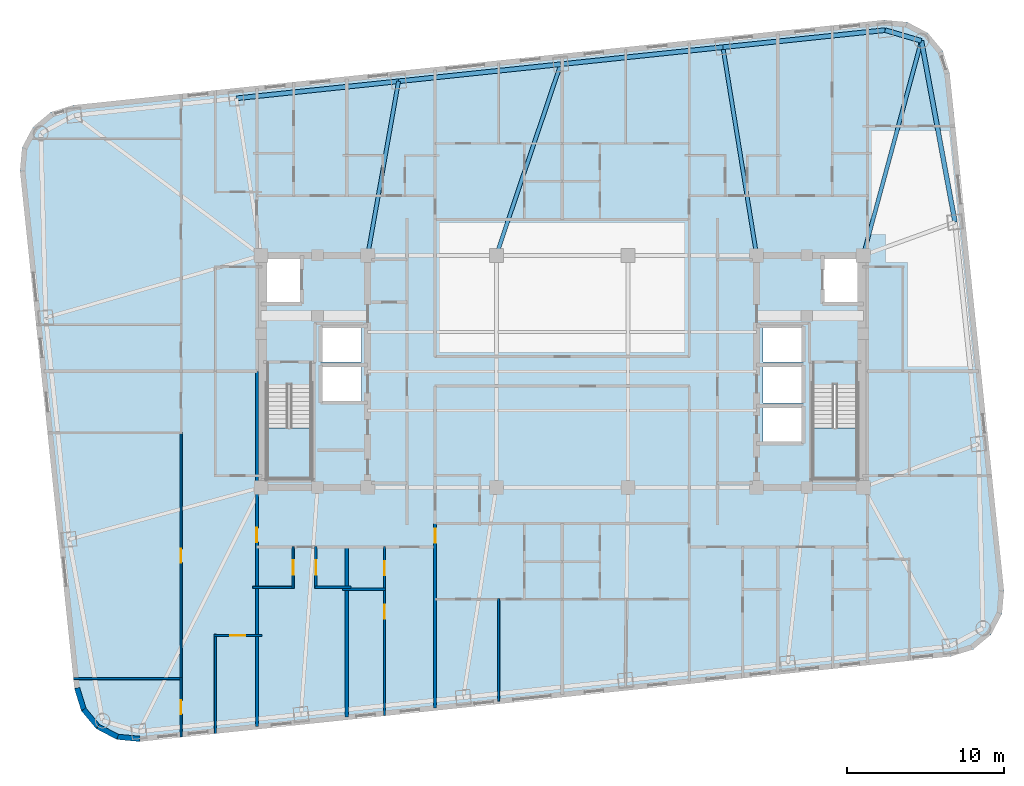
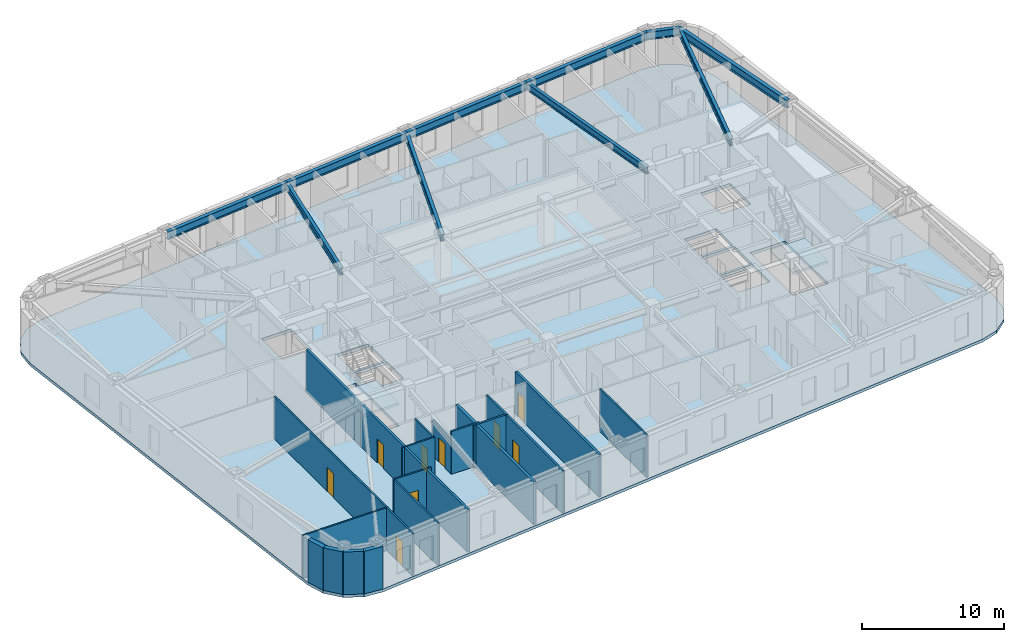
# One storey, part 2 of 11: 20 walls, 10 beams, 9 doors, 3 slabs, 9 openings, 2 elements without a shape of their own.
"""IFC4 building model written with IfcOpenShell, lengths in metres."""

from ifc_helpers import new_model, si_unit, direction, frame, frame_2d, origin, origin_2d, place, context, subcontext, project, spatial, polyline, rectangle, i_section, outline, extrude, material, layer, layer_set, material_profile, profile_set, type_object, element, fill, aggregate, save


model = new_model("IFC4")

# Units and contexts
model_context = context("Model", 3, precision=1e-05, world=origin(), true_north=direction((0.0, 1.0)))
body_context = subcontext(model_context, "Body", "Model", "MODEL_VIEW")
ifc_project = project(units=[si_unit("LENGTHUNIT", "METRE"), si_unit("AREAUNIT", "SQUARE_METRE"), si_unit("VOLUMEUNIT", "CUBIC_METRE"), si_unit("PLANEANGLEUNIT", "RADIAN"), si_unit("MASSUNIT", "GRAM", prefix="KILO")], contexts=[model_context])

# Site, building, storey
site_placement = place(None, origin())
site = spatial("IfcSite", under=ifc_project, at=site_placement, CompositionType="ELEMENT")
building_placement = place(site_placement, origin())
building = spatial("IfcBuilding", under=site, at=building_placement, Name="Voryun Gate Residences", CompositionType="ELEMENT")
storey_placement = place(building_placement, frame((0.0, 0.0, 183.300048828125)))
storey = spatial("IfcBuildingStorey", under=building, at=storey_placement, Name="L45", CompositionType="ELEMENT", Elevation=183.300048828125)

# Beams
ifc_material_1 = material(Name="Steel SM355", Category="steel")
ifc_material_profile_1 = material_profile(ifc_material_1, i_section(OverallWidth=0.300048828125, OverallDepth=0.679931640625, WebThickness=0.013916015625, FlangeThickness=0.02490234375, FilletRadius=0.01806640625, at=origin_2d()), Name="H-680x300x14x25")
ifc_profile_set_1 = profile_set([ifc_material_profile_1], Name="Steel SM355")
beam_type_1 = type_object("IfcBeamType", Name="BM_EXO_SPANDREL_M", PredefinedType="SPANDREL", material=ifc_profile_set_1)
beam_1_placement = place(storey_placement, frame((25.047119140625, 9.51806640625, 3.31005859375), z_axis=(-0.182267768769, 0.983248931079, 0.0), x_axis=(-0.983248931079, -0.182267768769, 0.0)))
element("IfcBeam", 1, at=beam_1_placement, inside=storey, type_object=beam_type_1, Name="BM-L45-SPAND-09", PredefinedType="SPANDREL", context=body_context, shape_type="SweptSolid", body=[
    extrude(i_section(OverallWidth=0.300048828125, OverallDepth=0.679931640625, WebThickness=0.013916015625, FlangeThickness=0.02490234375, FilletRadius=0.01806640625, at=origin_2d()), origin(), (0.0, 0.0, 1.0), 11.753662109375),
])
beam_2_placement = place(storey_placement, frame((22.90478515625, 21.074951171875, 3.31005859375), z_axis=(-0.958843048967, 0.283936625758, 0.0), x_axis=(-0.283936625758, -0.958843048967, 0.0)))
element("IfcBeam", 2, at=beam_2_placement, inside=storey, type_object=beam_type_1, Name="BM-L45-SPAND-10", PredefinedType="SPANDREL", context=body_context, shape_type="SweptSolid", body=[
    extrude(i_section(OverallWidth=0.300048828125, OverallDepth=0.679931640625, WebThickness=0.013916015625, FlangeThickness=0.02490234375, FilletRadius=0.01806640625, at=origin_2d()), origin(), (0.0, 0.0, 1.0), 2.410888671875),
])
for number, where, z_axis, x_axis, name in (
    (3, (20.593017578125, 21.759521484375, 3.31005859375), (-0.994521263116, -0.104534478571, 0.0), (0.104534478571, -0.994521263116, 0.0), "BM-L45-SPAND-11"),
    (4, (10.25, 20.67236328125, 3.31005859375), (-0.99452370336, -0.10451125994, 0.0), (0.10451125994, -0.99452370336, 0.0), "BM-L45-SPAND-12"),
    (5, (-0.093017578125, 19.58544921875, 3.31005859375), (-0.994521263116, -0.104534478571, 0.0), (0.104534478571, -0.994521263116, 0.0), "BM-L45-SPAND-13"),
    (6, (-10.43603515625, 18.498291015625, 3.31005859375), (-0.994521263116, -0.104534478571, 0.0), (0.104534478571, -0.994521263116, 0.0), "BM-L45-SPAND-14"),
):
    element("IfcBeam", number, at=place(storey_placement, frame(where, z_axis=z_axis, x_axis=x_axis)), inside=storey, type_object=beam_type_1, Name=name, PredefinedType="SPANDREL", context=body_context, shape_type="SweptSolid", body=[
        extrude(i_section(OverallWidth=0.300048828125, OverallDepth=0.679931640625, WebThickness=0.013916015625, FlangeThickness=0.02490234375, FilletRadius=0.01806640625, at=origin_2d()), origin(), (0.0, 0.0, 1.0), 10.39990234375),
    ])
ifc_material_2 = material(Name="Steel SM355", Category="steel")
ifc_material_profile_2 = material_profile(ifc_material_2, i_section(OverallWidth=0.25, OverallDepth=0.60009765625, WebThickness=0.011962890625, FlangeThickness=0.02197265625, FilletRadius=0.01806640625, at=origin_2d()), Name="H-600x250x12x22")
ifc_profile_set_2 = profile_set([ifc_material_profile_2], Name="Steel SM355")
beam_type_2 = type_object("IfcBeamType", Name="BM_GIRD_600", PredefinedType="USERDEFINED", material=ifc_profile_set_2)
beam_3_placement = place(storey_placement, frame((19.199951171875, 7.39990234375, 3.349853515625), z_axis=(0.261492735838, 0.965205443988, 0.0), x_axis=(-0.965205443988, 0.261492735838, 0.0)))
element("IfcBeam", 7, at=beam_3_placement, inside=storey, type_object=beam_type_2, Name="BM-L45-RAD-CNE", ObjectType="GIRDER", PredefinedType="USERDEFINED", context=body_context, shape_type="SweptSolid", body=[
    extrude(i_section(OverallWidth=0.25, OverallDepth=0.60009765625, WebThickness=0.011962890625, FlangeThickness=0.02197265625, FilletRadius=0.01806640625, at=origin_2d()), origin(), (0.0, 0.0, 1.0), 14.16796875),
])
beam_4_placement = place(storey_placement, frame((12.39990234375, 7.39990234375, 3.349853515625), z_axis=(-0.159898055533, 0.987133532931, 0.0), x_axis=(-0.987133532931, -0.159898055533, 0.0)))
element("IfcBeam", 8, at=beam_4_placement, inside=storey, type_object=beam_type_2, Name="BM-L45-RAD-N2", ObjectType="GIRDER", PredefinedType="USERDEFINED", context=body_context, shape_type="SweptSolid", body=[
    extrude(i_section(OverallWidth=0.25, OverallDepth=0.60009765625, WebThickness=0.011962890625, FlangeThickness=0.02197265625, FilletRadius=0.01806640625, at=origin_2d()), origin(), (0.0, 0.0, 1.0), 13.445556640625),
])
beam_5_placement = place(storey_placement, frame((-4.199951171875, 7.39990234375, 3.349853515625), z_axis=(0.319381479956, 0.947626229197, 0.0), x_axis=(-0.947626229197, 0.319381479956, 0.0)))
element("IfcBeam", 9, at=beam_5_placement, inside=storey, type_object=beam_type_2, Name="BM-L45-RAD-N3", ObjectType="GIRDER", PredefinedType="USERDEFINED", context=body_context, shape_type="SweptSolid", body=[
    extrude(i_section(OverallWidth=0.25, OverallDepth=0.60009765625, WebThickness=0.011962890625, FlangeThickness=0.02197265625, FilletRadius=0.01806640625, at=origin_2d()), origin(), (0.0, 0.0, 1.0), 12.859130859375),
])
beam_6_placement = place(storey_placement, frame((-12.39990234375, 7.39990234375, 3.349853515625), z_axis=(0.174243764839, 0.984702549207, 0.0), x_axis=(-0.984702549207, 0.174243764839, 0.0)))
element("IfcBeam", 10, at=beam_6_placement, inside=storey, type_object=beam_type_2, Name="BM-L45-RAD-N4", ObjectType="GIRDER", PredefinedType="USERDEFINED", context=body_context, shape_type="SweptSolid", body=[
    extrude(i_section(OverallWidth=0.25, OverallDepth=0.60009765625, WebThickness=0.011962890625, FlangeThickness=0.02197265625, FilletRadius=0.01806640625, at=origin_2d()), origin(), (0.0, 0.0, 1.0), 11.270751953125),
])

# Slab
ifc_material_3 = material(Name="Concrete C40/50", Category="concrete")
ifc_layer_1 = layer(ifc_material_3, 0.25, Name="SLB_RES_250")
ifc_layer_set_1 = layer_set([ifc_layer_1], Name="Concrete C40/50")
slab_type_1 = type_object("IfcSlabType", Name="SLB_RES_250", PredefinedType="FLOOR", material=ifc_layer_set_1)
slab_1_placement = place(storey_placement, frame((0.0, 0.0, -0.25)))
element("IfcSlab", 11, at=slab_1_placement, inside=storey, type_object=slab_type_1, Name="L45 Structural Floor Slab", PredefinedType="FLOOR", context=body_context, shape_type="SweptSolid", body=[
    extrude(outline(polyline([(-26.92529296875, -23.60595703125), (-28.401611328125, -23.47021484375), (-29.7138671875, -22.780029296875), (-30.661865234375, -21.639892578125), (-31.1015625, -20.22412109375), (-34.572021484375, 12.794189453125), (-34.436279296875, 14.2705078125), (-33.745849609375, 15.582763671875), (-32.60595703125, 16.53076171875), (-31.18994140625, 16.970458984375), (20.525146484375, 22.406005859375), (22.001708984375, 22.270263671875), (23.313720703125, 21.580078125), (24.261962890625, 20.43994140625), (24.70166015625, 19.02392578125), (28.171875, -13.994140625), (28.036376953125, -15.470458984375), (27.345947265625, -16.78271484375), (26.2060546875, -17.730712890625), (24.7900390625, -18.17041015625), (-26.92529296875, -23.60595703125)]), holes=[polyline([(-15.97509765625, -6.85009765625), (-15.97509765625, -0.840087890625), (-18.824951171875, -0.840087890625), (-18.824951171875, -6.85009765625), (-15.97509765625, -6.85009765625)]), polyline([(18.824951171875, -6.85009765625), (18.824951171875, -0.840087890625), (15.97509765625, -0.840087890625), (15.97509765625, -6.85009765625), (18.824951171875, -6.85009765625)]), polyline([(15.39990234375, -2.199951171875), (12.800048828125, -2.199951171875), (12.800048828125, -4.60009765625), (15.39990234375, -4.60009765625), (15.39990234375, -2.199951171875)]), polyline([(-12.800048828125, 0.39990234375), (-15.39990234375, 0.39990234375), (-15.39990234375, -2.0), (-12.800048828125, -2.0), (-12.800048828125, 0.39990234375)]), polyline([(15.39990234375, 0.39990234375), (12.800048828125, 0.39990234375), (12.800048828125, -2.0), (15.39990234375, -2.0), (15.39990234375, 0.39990234375)]), polyline([(-12.800048828125, 2.89990234375), (-15.39990234375, 2.89990234375), (-15.39990234375, 0.60009765625), (-12.800048828125, 0.60009765625), (-12.800048828125, 2.89990234375)]), polyline([(15.39990234375, 2.89990234375), (12.800048828125, 2.89990234375), (12.800048828125, 0.60009765625), (15.39990234375, 0.60009765625), (15.39990234375, 2.89990234375)]), polyline([(-16.60009765625, 4.300048828125), (-16.60009765625, 7.199951171875), (-19.0, 7.199951171875), (-19.0, 4.300048828125), (-16.60009765625, 4.300048828125)]), polyline([(19.0, 4.300048828125), (19.0, 7.199951171875), (16.60009765625, 7.199951171875), (16.60009765625, 4.300048828125), (19.0, 4.300048828125)])]), origin(), (0.0, 0.0, 1.0), 0.25),
])

# Stair, slab
ifc_material_4 = material(Name="Concrete C40/50", Category="concrete")
stair_type = type_object("IfcStairType", Name="STR_CORE_DOGLEG_1350", PredefinedType="HALF_TURN_STAIR", material=ifc_material_4)
stair_1_placement = place(storey_placement, origin())
stair_1 = element("IfcStair", 12, at=stair_1_placement, inside=storey, type_object=stair_type, Name="L45 Special Escape Stair ST-W1", PredefinedType="HALF_TURN_STAIR")
ifc_material_5 = material(Name="Concrete C40/50", Category="concrete")
ifc_layer_2 = layer(ifc_material_5, 0.199951171875, Name="SLB_STAIR_LANDING_200")
ifc_layer_set_2 = layer_set([ifc_layer_2], Name="Concrete C40/50")
slab_type_2 = type_object("IfcSlabType", Name="SLB_STAIR_LANDING_200", PredefinedType="LANDING", material=ifc_layer_set_2)
slab_2_placement = place(storey_placement, frame((0.0, 0.0, 1.75)))
slab_2 = element("IfcSlab", 13, at=slab_2_placement, type_object=slab_type_2, Name="ST-W1 landing 1", PredefinedType="LANDING", context=body_context, shape_type="SweptSolid", body=[
    extrude(outline(polyline([(-18.824951171875, -3.60009765625), (-18.824951171875, -6.85009765625), (-15.97509765625, -6.85009765625), (-15.97509765625, -3.60009765625), (-18.824951171875, -3.60009765625)])), origin(), (0.0, 0.0, 1.0), 0.199951171875),
])
aggregate(stair_1, [slab_2])

stair_2_placement = place(storey_placement, origin())
stair_2 = element("IfcStair", 14, at=stair_2_placement, inside=storey, type_object=stair_type, Name="L45 Special Escape Stair ST-E1", PredefinedType="HALF_TURN_STAIR")
slab_3_placement = place(storey_placement, frame((0.0, 0.0, 1.75)))
slab_3 = element("IfcSlab", 15, at=slab_3_placement, type_object=slab_type_2, Name="ST-E1 landing 1", PredefinedType="LANDING", context=body_context, shape_type="SweptSolid", body=[
    extrude(outline(polyline([(15.97509765625, -3.60009765625), (15.97509765625, -6.85009765625), (18.824951171875, -6.85009765625), (18.824951171875, -3.60009765625), (15.97509765625, -3.60009765625)])), origin(), (0.0, 0.0, 1.0), 0.199951171875),
])
aggregate(stair_2, [slab_3])

# Wall, opening, door
ifc_material_6 = material(Name="Gypsum acoustic fireboard")
ifc_layer_3 = layer(ifc_material_6, 0.179931640625, Name="W_CORR_RATED_180")
ifc_layer_set_3 = layer_set([ifc_layer_3], Name="Gypsum acoustic fireboard")
wall_type_1 = type_object("IfcWallType", Name="W_CORR_RATED_180", PredefinedType="PARTITIONING", material=ifc_layer_set_3)
wall_1_placement = place(storey_placement, frame((-8.10009765625, -21.456298828125, 0.0), z_axis=(0.0, 0.0, 1.0), x_axis=(0.0, 1.0, 0.0)))
wall_1 = element("IfcWall", 16, at=wall_1_placement, inside=storey, type_object=wall_type_1, Name="Partition wall WP-L45-SZV-1", PredefinedType="PARTITIONING", context=body_context, shape_type="SweptSolid", body=[
    extrude(rectangle(XDim=11.766357421875, YDim=0.179931640625, at=frame_2d((5.88330078125, 0.0))), origin(), (0.0, 0.0, 1.0), 3.64990234375),
])
opening_1_placement = place(wall_1_placement, frame((10.516357421875, 0.0, 0.0)))
opening_1 = element("IfcOpeningElement", 17, at=opening_1_placement, cuts=wall_1, Name="Opening D-INT-2", PredefinedType="OPENING", context=body_context, shape_type="SweptSolid", body=[
    extrude(rectangle(XDim=0.89990234375, YDim=2.050048828125, at=frame_2d((0.449951171875, 1.02490234375))), frame((0.0, 0.099853515625, 0.0), z_axis=(0.0, -1.0, 0.0), x_axis=(1.0, 0.0, 0.0)), (0.0, 0.0, 1.0), 0.199951171875),
])
ifc_material_7 = material(Name="Architectural oak veneer")
door_type_1 = type_object("IfcDoorType", Name="DR_INT_BATH_900", OperationType="NOTDEFINED", PredefinedType="DOOR", material=ifc_material_7)
door_1_placement = place(opening_1_placement, origin())
door_1 = element("IfcDoor", 18, at=door_1_placement, inside=storey, type_object=door_type_1, Name="Door DR-L45-SZENT-1", OperationType="SINGLE_SWING_LEFT", OverallHeight=2.050048828125, OverallWidth=0.89990234375, PredefinedType="DOOR", context=body_context, shape_type="SweptSolid", body=[
    extrude(rectangle(XDim=0.89990234375, YDim=2.050048828125, at=frame_2d((0.449951171875, 1.02490234375))), frame((0.0, 0.02490234375, 0.0), z_axis=(0.0, -1.0, 0.0), x_axis=(1.0, 0.0, 0.0)), (0.0, 0.0, 1.0), 0.050048828125),
])
fill(opening_1, door_1)

wall_2_placement = place(storey_placement, frame((-19.469970703125, -22.651611328125, 0.0), z_axis=(0.0, 0.0, 1.0), x_axis=(0.0, 1.0, 0.0)))
wall_2 = element("IfcWall", 19, at=wall_2_placement, inside=storey, type_object=wall_type_1, Name="Partition wall WP-L45-WCOR1", PredefinedType="PARTITIONING", context=body_context, shape_type="SweptSolid", body=[
    extrude(rectangle(XDim=22.651611328125, YDim=0.179931640625, at=frame_2d((11.32568359375, 0.0))), origin(), (0.0, 0.0, 1.0), 3.64990234375),
])
opening_2_placement = place(wall_2_placement, frame((11.7705078125, 0.0, 0.0)))
opening_2 = element("IfcOpeningElement", 20, at=opening_2_placement, cuts=wall_2, Name="Opening D-INT-2", PredefinedType="OPENING", context=body_context, shape_type="SweptSolid", body=[
    extrude(rectangle(XDim=0.89990234375, YDim=2.050048828125, at=frame_2d((0.449951171875, 1.02490234375))), frame((0.0, 0.099853515625, 0.0), z_axis=(0.0, -1.0, 0.0), x_axis=(1.0, 0.0, 0.0)), (0.0, 0.0, 1.0), 0.199951171875),
])
door_2_placement = place(opening_2_placement, origin())
door_2 = element("IfcDoor", 21, at=door_2_placement, inside=storey, type_object=door_type_1, Name="Door DR-L45-WE1", OperationType="SINGLE_SWING_LEFT", OverallHeight=2.050048828125, OverallWidth=0.89990234375, PredefinedType="DOOR", context=body_context, shape_type="SweptSolid", body=[
    extrude(rectangle(XDim=0.89990234375, YDim=2.050048828125, at=frame_2d((0.449951171875, 1.02490234375))), frame((0.0, 0.02490234375, 0.0), z_axis=(0.0, -1.0, 0.0), x_axis=(1.0, 0.0, 0.0)), (0.0, 0.0, 1.0), 0.050048828125),
])
fill(opening_2, door_2)

# Walls
ifc_material_8 = material(Name="Charcoal terracotta masonry", Category="masonry")
ifc_layer_4 = layer(ifc_material_8, 0.340087890625, Name="W_EXT_TERRACOTTA_340")
ifc_layer_set_4 = layer_set([ifc_layer_4], Name="Charcoal terracotta masonry")
wall_type_2 = type_object("IfcWallType", Name="W_EXT_TERRACOTTA_340", PredefinedType="ELEMENTEDWALL", material=ifc_layer_set_4)
wall_3_placement = place(storey_placement, frame((-26.92626953125, -23.435302734375, 0.0), z_axis=(0.0, 0.0, 1.0), x_axis=(-0.995800460351, 0.091550222087, 0.0)))
element("IfcWall", 22, at=wall_3_placement, inside=storey, type_object=wall_type_2, Name="Exterior wall WEXT-L45-02", PredefinedType="ELEMENTEDWALL", context=body_context, shape_type="SweptSolid", body=[
    extrude(rectangle(XDim=1.43212890625, YDim=0.340087890625, at=frame_2d((0.716064453125, 0.0))), origin(), (0.0, 0.0, 1.0), 3.64990234375),
])
wall_4_placement = place(storey_placement, frame((-28.352294921875, -23.30419921875, 0.0), z_axis=(0.0, 0.0, 1.0), x_axis=(-0.884989312682, 0.465611336243, 0.0)))
element("IfcWall", 23, at=wall_4_placement, inside=storey, type_object=wall_type_2, Name="Exterior wall WEXT-L45-03", PredefinedType="ELEMENTEDWALL", context=body_context, shape_type="SweptSolid", body=[
    extrude(rectangle(XDim=1.415283203125, YDim=0.340087890625, at=frame_2d((0.70751953125, 0.0))), origin(), (0.0, 0.0, 1.0), 3.64990234375),
])
wall_5_placement = place(storey_placement, frame((-29.604736328125, -22.645263671875, 0.0), z_axis=(0.0, 0.0, 1.0), x_axis=(-0.639437361921, 0.768843196093, 0.0)))
element("IfcWall", 24, at=wall_5_placement, inside=storey, type_object=wall_type_2, Name="Exterior wall WEXT-L45-04", PredefinedType="ELEMENTEDWALL", context=body_context, shape_type="SweptSolid", body=[
    extrude(rectangle(XDim=1.4150390625, YDim=0.340087890625, at=frame_2d((0.70751953125, 0.0))), origin(), (0.0, 0.0, 1.0), 3.64990234375),
])
wall_6_placement = place(storey_placement, frame((-30.509521484375, -21.557373046875, 0.0), z_axis=(0.0, 0.0, 1.0), x_axis=(-0.296624409546, 0.9549942197, 0.0)))
element("IfcWall", 25, at=wall_6_placement, inside=storey, type_object=wall_type_2, Name="Exterior wall WEXT-L45-05", PredefinedType="ELEMENTEDWALL", context=body_context, shape_type="SweptSolid", body=[
    extrude(rectangle(XDim=1.43212890625, YDim=0.340087890625, at=frame_2d((0.716064453125, 0.0))), origin(), (0.0, 0.0, 1.0), 3.64990234375),
])
ifc_material_9 = material(Name="Concrete C40/50", Category="concrete")
ifc_layer_5 = layer(ifc_material_9, 0.219970703125, Name="W_PARTY_ACOUSTIC_220")
ifc_layer_set_5 = layer_set([ifc_layer_5], Name="Concrete C40/50")
wall_type_3 = type_object("IfcWallType", Name="W_PARTY_ACOUSTIC_220", PredefinedType="PARTITIONING", material=ifc_layer_set_5)
wall_7_placement = place(storey_placement, frame((-13.739990234375, -22.04931640625, 0.0), z_axis=(0.0, 0.0, 1.0), x_axis=(0.0, 1.0, 0.0)))
element("IfcWall", 26, at=wall_7_placement, inside=storey, type_object=wall_type_3, Name="Partition wall WP-L45-SPTY-1", PredefinedType="PARTITIONING", context=body_context, shape_type="SweptSolid", body=[
    extrude(rectangle(XDim=10.92919921875, YDim=0.219970703125, at=frame_2d((5.464599609375, 0.0))), origin(), (0.0, 0.0, 1.0), 3.64990234375),
])

# Wall, opening, door
ifc_material_10 = material(Name="Gypsum acoustic partition")
ifc_layer_6 = layer(ifc_material_10, 0.125, Name="W_UNIT_PART_125")
ifc_layer_set_6 = layer_set([ifc_layer_6], Name="Gypsum acoustic partition")
wall_type_4 = type_object("IfcWallType", Name="W_UNIT_PART_125", PredefinedType="PARTITIONING", material=ifc_layer_set_6)
wall_8_placement = place(storey_placement, frame((-17.14990234375, -13.830078125, 0.0), z_axis=(0.0, 0.0, 1.0), x_axis=(0.0, 1.0, 0.0)))
wall_8 = element("IfcWall", 27, at=wall_8_placement, inside=storey, type_object=wall_type_4, Name="Partition wall WP-L45-S1-CVK", PredefinedType="PARTITIONING", context=body_context, shape_type="SweptSolid", body=[
    extrude(rectangle(XDim=2.650146484375, YDim=0.125, at=frame_2d((1.3251953125, 0.0))), origin(), (0.0, 0.0, 1.0), 3.64990234375),
])
opening_3_placement = place(wall_8_placement, frame((0.875, 0.0, 0.0)))
opening_3 = element("IfcOpeningElement", 28, at=opening_3_placement, cuts=wall_8, Name="Opening D-INT-2", PredefinedType="OPENING", context=body_context, shape_type="SweptSolid", body=[
    extrude(rectangle(XDim=0.89990234375, YDim=2.050048828125, at=frame_2d((0.449951171875, 1.02490234375))), frame((0.0, 0.072509765625, 0.0), z_axis=(0.0, -1.0, 0.0), x_axis=(1.0, 0.0, 0.0)), (0.0, 0.0, 1.0), 0.14501953125),
])
door_3_placement = place(opening_3_placement, origin())
door_3 = element("IfcDoor", 29, at=door_3_placement, inside=storey, type_object=door_type_1, Name="Door DR-L45-S1-DK", OperationType="SINGLE_SWING_LEFT", OverallHeight=2.050048828125, OverallWidth=0.89990234375, PredefinedType="DOOR", context=body_context, shape_type="SweptSolid", body=[
    extrude(rectangle(XDim=0.89990234375, YDim=2.050048828125, at=frame_2d((0.449951171875, 1.02490234375))), frame((0.0, 0.02490234375, 0.0), z_axis=(0.0, -1.0, 0.0), x_axis=(1.0, 0.0, 0.0)), (0.0, 0.0, 1.0), 0.050048828125),
])
fill(opening_3, door_3)

# Walls
wall_9_placement = place(storey_placement, frame((-19.719970703125, -13.77001953125, 0.0), z_axis=(0.0, 0.0, 1.0), x_axis=(1.0, 0.0, 0.0)))
element("IfcWall", 30, at=wall_9_placement, inside=storey, type_object=wall_type_4, Name="Partition wall WP-L45-S1-CHK", PredefinedType="PARTITIONING", context=body_context, shape_type="SweptSolid", body=[
    extrude(rectangle(XDim=2.6298828125, YDim=0.125, at=frame_2d((1.31494140625, 0.0))), origin(), (0.0, 0.0, 1.0), 3.64990234375),
])
wall_10_placement = place(storey_placement, frame((-4.050048828125, -21.03076171875, 0.0), z_axis=(0.0, 0.0, 1.0), x_axis=(0.0, 1.0, 0.0)))
element("IfcWall", 31, at=wall_10_placement, inside=storey, type_object=wall_type_4, Name="Partition wall WP-L45-SC1-VBD", PredefinedType="PARTITIONING", context=body_context, shape_type="SweptSolid", body=[
    extrude(rectangle(XDim=6.540771484375, YDim=0.125, at=frame_2d((3.2705078125, 0.0))), origin(), (0.0, 0.0, 1.0), 3.64990234375),
])
wall_11_placement = place(storey_placement, frame((-31.148681640625, -19.583984375, 0.0), z_axis=(0.0, 0.0, 1.0), x_axis=(1.0, 0.0, 0.0)))
element("IfcWall", 32, at=wall_11_placement, inside=storey, type_object=wall_type_4, Name="Partition wall WP-L45-W1-OH1", PredefinedType="PARTITIONING", context=body_context, shape_type="SweptSolid", body=[
    extrude(rectangle(XDim=6.9287109375, YDim=0.125, at=frame_2d((3.46435546875, 0.0))), origin(), (0.0, 0.0, 1.0), 3.64990234375),
])

# Wall, opening, door
wall_12_placement = place(storey_placement, frame((-24.300048828125, -23.31005859375, 0.0), z_axis=(0.0, 0.0, 1.0), x_axis=(0.0, 1.0, 0.0)))
wall_12 = element("IfcWall", 33, at=wall_12_placement, inside=storey, type_object=wall_type_4, Name="Partition wall WP-L45-W1-OVX1", PredefinedType="PARTITIONING", context=body_context, shape_type="SweptSolid", body=[
    extrude(rectangle(XDim=3.776123046875, YDim=0.125, at=frame_2d((1.88818359375, 0.0))), origin(), (0.0, 0.0, 1.0), 3.64990234375),
])
opening_4_placement = place(wall_12_placement, frame((1.43798828125, 0.0, 0.0)))
opening_4 = element("IfcOpeningElement", 34, at=opening_4_placement, cuts=wall_12, Name="Opening D-INT-2", PredefinedType="OPENING", context=body_context, shape_type="SweptSolid", body=[
    extrude(rectangle(XDim=0.89990234375, YDim=2.050048828125, at=frame_2d((0.449951171875, 1.02490234375))), frame((0.0, 0.072509765625, 0.0), z_axis=(0.0, -1.0, 0.0), x_axis=(1.0, 0.0, 0.0)), (0.0, 0.0, 1.0), 0.14501953125),
])
door_4_placement = place(opening_4_placement, origin())
door_4 = element("IfcDoor", 35, at=door_4_placement, inside=storey, type_object=door_type_1, Name="Door DR-L45-W1-DBD2", OperationType="SINGLE_SWING_LEFT", OverallHeight=2.050048828125, OverallWidth=0.89990234375, PredefinedType="DOOR", context=body_context, shape_type="SweptSolid", body=[
    extrude(rectangle(XDim=0.89990234375, YDim=2.050048828125, at=frame_2d((0.449951171875, 1.02490234375))), frame((0.0, 0.02490234375, 0.0), z_axis=(0.0, -1.0, 0.0), x_axis=(1.0, 0.0, 0.0)), (0.0, 0.0, 1.0), 0.050048828125),
])
fill(opening_4, door_4)

wall_13_placement = place(storey_placement, frame((-24.300048828125, -19.634033203125, 0.0), z_axis=(0.0, 0.0, 1.0), x_axis=(0.0, 1.0, 0.0)))
wall_13 = element("IfcWall", 36, at=wall_13_placement, inside=storey, type_object=wall_type_4, Name="Partition wall WP-L45-W1-OVX2", PredefinedType="PARTITIONING", context=body_context, shape_type="SweptSolid", body=[
    extrude(rectangle(XDim=15.76611328125, YDim=0.125, at=frame_2d((7.883056640625, 0.0))), origin(), (0.0, 0.0, 1.0), 3.64990234375),
])
opening_5_placement = place(wall_13_placement, frame((7.43310546875, 0.0, 0.0)))
opening_5 = element("IfcOpeningElement", 37, at=opening_5_placement, cuts=wall_13, Name="Opening D-INT-2", PredefinedType="OPENING", context=body_context, shape_type="SweptSolid", body=[
    extrude(rectangle(XDim=0.89990234375, YDim=2.050048828125, at=frame_2d((0.449951171875, 1.02490234375))), frame((0.0, 0.072509765625, 0.0), z_axis=(0.0, -1.0, 0.0), x_axis=(1.0, 0.0, 0.0)), (0.0, 0.0, 1.0), 0.14501953125),
])
door_5_placement = place(opening_5_placement, origin())
door_5 = element("IfcDoor", 38, at=door_5_placement, inside=storey, type_object=door_type_1, Name="Door DR-L45-W1-DSTD", OperationType="SINGLE_SWING_RIGHT", OverallHeight=2.050048828125, OverallWidth=0.89990234375, PredefinedType="DOOR", context=body_context, shape_type="SweptSolid", body=[
    extrude(rectangle(XDim=0.89990234375, YDim=2.050048828125, at=frame_2d((0.449951171875, 1.02490234375))), frame((0.0, 0.02490234375, 0.0), z_axis=(0.0, -1.0, 0.0), x_axis=(1.0, 0.0, 0.0)), (0.0, 0.0, 1.0), 0.050048828125),
])
fill(opening_5, door_5)

wall_14_placement = place(storey_placement, frame((-22.199951171875, -16.842041015625, 0.0), z_axis=(0.0, 0.0, 1.0), x_axis=(1.0, 0.0, 0.0)))
wall_14 = element("IfcWall", 39, at=wall_14_placement, inside=storey, type_object=wall_type_4, Name="Partition wall WP-L45-W1-IKA", PredefinedType="PARTITIONING", context=body_context, shape_type="SweptSolid", body=[
    extrude(rectangle(XDim=3.050048828125, YDim=0.125, at=frame_2d((1.52490234375, 0.0))), origin(), (0.0, 0.0, 1.0), 3.64990234375),
])
opening_6_placement = place(wall_14_placement, frame((1.050048828125, 0.0, 0.0)))
opening_6 = element("IfcOpeningElement", 40, at=opening_6_placement, cuts=wall_14, Name="Opening D-INT-1", PredefinedType="OPENING", context=body_context, shape_type="SweptSolid", body=[
    extrude(rectangle(XDim=0.949951171875, YDim=2.050048828125, at=frame_2d((0.47509765625, 1.02490234375))), frame((0.0, 0.072509765625, 0.0), z_axis=(0.0, -1.0, 0.0), x_axis=(1.0, 0.0, 0.0)), (0.0, 0.0, 1.0), 0.14501953125),
])
ifc_material_11 = material(Name="Architectural oak veneer")
door_type_2 = type_object("IfcDoorType", Name="DR_INT_ROOM_950", OperationType="NOTDEFINED", PredefinedType="DOOR", material=ifc_material_11)
door_6_placement = place(opening_6_placement, origin())
door_6 = element("IfcDoor", 41, at=door_6_placement, inside=storey, type_object=door_type_2, Name="Door DR-L45-W1-DK", OperationType="SINGLE_SWING_LEFT", OverallHeight=2.050048828125, OverallWidth=0.949951171875, PredefinedType="DOOR", context=body_context, shape_type="SweptSolid", body=[
    extrude(rectangle(XDim=0.949951171875, YDim=2.050048828125, at=frame_2d((0.47509765625, 1.02490234375))), frame((0.0, 0.02490234375, 0.0), z_axis=(0.0, -1.0, 0.0), x_axis=(1.0, 0.0, 0.0)), (0.0, 0.0, 1.0), 0.050048828125),
])
fill(opening_6, door_6)

# Wall
wall_15_placement = place(storey_placement, frame((-22.1201171875, -23.080810546875, 0.0), z_axis=(0.0, 0.0, 1.0), x_axis=(0.0, 1.0, 0.0)))
element("IfcWall", 42, at=wall_15_placement, inside=storey, type_object=wall_type_4, Name="Partition wall WP-L45-W1-VTA", PredefinedType="PARTITIONING", context=body_context, shape_type="SweptSolid", body=[
    extrude(rectangle(XDim=6.31884765625, YDim=0.125, at=frame_2d((3.159423828125, 0.0))), origin(), (0.0, 0.0, 1.0), 3.64990234375),
])

# Wall, opening, door
ifc_material_12 = material(Name="Gypsum moisture-resistant partition")
ifc_layer_7 = layer(ifc_material_12, 0.14990234375, Name="W_WET_PLUMB_150")
ifc_layer_set_7 = layer_set([ifc_layer_7], Name="Gypsum moisture-resistant partition")
wall_type_5 = type_object("IfcWallType", Name="W_WET_PLUMB_150", PredefinedType="PLUMBINGWALL", material=ifc_layer_set_7)
wall_16_placement = place(storey_placement, frame((-15.7041015625, -13.830078125, 0.0), z_axis=(0.0, 0.0, 1.0), x_axis=(0.0, 1.0, 0.0)))
wall_16 = element("IfcWall", 43, at=wall_16_placement, inside=storey, type_object=wall_type_5, Name="Partition wall WP-L45-S1-CVB", PredefinedType="PLUMBINGWALL", context=body_context, shape_type="SweptSolid", body=[
    extrude(rectangle(XDim=2.650146484375, YDim=0.14990234375, at=frame_2d((1.3251953125, 0.0))), origin(), (0.0, 0.0, 1.0), 3.0400390625),
])
opening_7_placement = place(wall_16_placement, frame((0.875, 0.0, 0.0)))
opening_7 = element("IfcOpeningElement", 44, at=opening_7_placement, cuts=wall_16, Name="Opening D-INT-2", PredefinedType="OPENING", context=body_context, shape_type="SweptSolid", body=[
    extrude(rectangle(XDim=0.89990234375, YDim=2.050048828125, at=frame_2d((0.449951171875, 1.02490234375))), frame((0.0, 0.0849609375, 0.0), z_axis=(0.0, -1.0, 0.0), x_axis=(1.0, 0.0, 0.0)), (0.0, 0.0, 1.0), 0.169921875),
])
door_7_placement = place(opening_7_placement, origin())
door_7 = element("IfcDoor", 45, at=door_7_placement, inside=storey, type_object=door_type_1, Name="Door DR-L45-S1-DB", OperationType="SINGLE_SWING_RIGHT", OverallHeight=2.050048828125, OverallWidth=0.89990234375, PredefinedType="DOOR", context=body_context, shape_type="SweptSolid", body=[
    extrude(rectangle(XDim=0.89990234375, YDim=2.050048828125, at=frame_2d((0.449951171875, 1.02490234375))), frame((0.0, 0.02490234375, 0.0), z_axis=(0.0, -1.0, 0.0), x_axis=(1.0, 0.0, 0.0)), (0.0, 0.0, 1.0), 0.050048828125),
])
fill(opening_7, door_7)

# Walls
wall_17_placement = place(storey_placement, frame((-15.763916015625, -13.77001953125, 0.0), z_axis=(0.0, 0.0, 1.0), x_axis=(1.0, 0.0, 0.0)))
element("IfcWall", 46, at=wall_17_placement, inside=storey, type_object=wall_type_5, Name="Partition wall WP-L45-S1-CHB", PredefinedType="PLUMBINGWALL", context=body_context, shape_type="SweptSolid", body=[
    extrude(rectangle(XDim=2.283935546875, YDim=0.14990234375, at=frame_2d((1.14208984375, 0.0))), origin(), (0.0, 0.0, 1.0), 3.64990234375),
])
wall_18_placement = place(storey_placement, frame((-14.0, -13.89990234375, 0.0), z_axis=(0.0, 0.0, 1.0), x_axis=(1.0, 0.0, 0.0)))
element("IfcWall", 47, at=wall_18_placement, inside=storey, type_object=wall_type_5, Name="Partition wall WP-L45-S2-SKB", PredefinedType="PLUMBINGWALL", context=body_context, shape_type="SweptSolid", body=[
    extrude(rectangle(XDim=2.7490234375, YDim=0.14990234375, at=frame_2d((1.37451171875, 0.0))), origin(), (0.0, 0.0, 1.0), 3.64990234375),
])

# Wall, opening, door
wall_19_placement = place(storey_placement, frame((-11.3310546875, -21.947021484375, 0.0), z_axis=(0.0, 0.0, 1.0), x_axis=(0.0, 1.0, 0.0)))
wall_19 = element("IfcWall", 48, at=wall_19_placement, inside=storey, type_object=wall_type_5, Name="Partition wall WP-L45-S2-SVT1", PredefinedType="PLUMBINGWALL", context=body_context, shape_type="SweptSolid", body=[
    extrude(rectangle(XDim=8.0869140625, YDim=0.14990234375, at=frame_2d((4.04345703125, 0.0))), origin(), (0.0, 0.0, 1.0), 3.64990234375),
])
opening_8_placement = place(wall_19_placement, frame((6.181396484375, 0.0, 0.0)))
opening_8 = element("IfcOpeningElement", 49, at=opening_8_placement, cuts=wall_19, Name="Opening D-INT-2", PredefinedType="OPENING", context=body_context, shape_type="SweptSolid", body=[
    extrude(rectangle(XDim=0.89990234375, YDim=2.050048828125, at=frame_2d((0.449951171875, 1.02490234375))), frame((0.0, 0.0849609375, 0.0), z_axis=(0.0, -1.0, 0.0), x_axis=(1.0, 0.0, 0.0)), (0.0, 0.0, 1.0), 0.169921875),
])
door_8_placement = place(opening_8_placement, origin())
door_8 = element("IfcDoor", 50, at=door_8_placement, inside=storey, type_object=door_type_1, Name="Door DR-L45-S2-DK", OperationType="SINGLE_SWING_LEFT", OverallHeight=2.050048828125, OverallWidth=0.89990234375, PredefinedType="DOOR", context=body_context, shape_type="SweptSolid", body=[
    extrude(rectangle(XDim=0.89990234375, YDim=2.050048828125, at=frame_2d((0.449951171875, 1.02490234375))), frame((0.0, 0.02490234375, 0.0), z_axis=(0.0, -1.0, 0.0), x_axis=(1.0, 0.0, 0.0)), (0.0, 0.0, 1.0), 0.050048828125),
])
fill(opening_8, door_8)

wall_20_placement = place(storey_placement, frame((-11.3310546875, -13.93994140625, 0.0), z_axis=(0.0, 0.0, 1.0), x_axis=(0.0, 1.0, 0.0)))
wall_20 = element("IfcWall", 51, at=wall_20_placement, inside=storey, type_object=wall_type_5, Name="Partition wall WP-L45-S2-SVT2", PredefinedType="PLUMBINGWALL", context=body_context, shape_type="SweptSolid", body=[
    extrude(rectangle(XDim=2.760009765625, YDim=0.14990234375, at=frame_2d((1.3798828125, 0.0))), origin(), (0.0, 0.0, 1.0), 3.64990234375),
])
opening_9_placement = place(wall_20_placement, frame((0.929931640625, 0.0, 0.0)))
opening_9 = element("IfcOpeningElement", 52, at=opening_9_placement, cuts=wall_20, Name="Opening D-INT-2", PredefinedType="OPENING", context=body_context, shape_type="SweptSolid", body=[
    extrude(rectangle(XDim=0.89990234375, YDim=2.050048828125, at=frame_2d((0.449951171875, 1.02490234375))), frame((0.0, 0.0849609375, 0.0), z_axis=(0.0, -1.0, 0.0), x_axis=(1.0, 0.0, 0.0)), (0.0, 0.0, 1.0), 0.169921875),
])
door_9_placement = place(opening_9_placement, origin())
door_9 = element("IfcDoor", 53, at=door_9_placement, inside=storey, type_object=door_type_1, Name="Door DR-L45-S2-DB", OperationType="SINGLE_SWING_RIGHT", OverallHeight=2.050048828125, OverallWidth=0.89990234375, PredefinedType="DOOR", context=body_context, shape_type="SweptSolid", body=[
    extrude(rectangle(XDim=0.89990234375, YDim=2.050048828125, at=frame_2d((0.449951171875, 1.02490234375))), frame((0.0, 0.02490234375, 0.0), z_axis=(0.0, -1.0, 0.0), x_axis=(1.0, 0.0, 0.0)), (0.0, 0.0, 1.0), 0.050048828125),
])
fill(opening_9, door_9)

save(model, "model.ifc")
